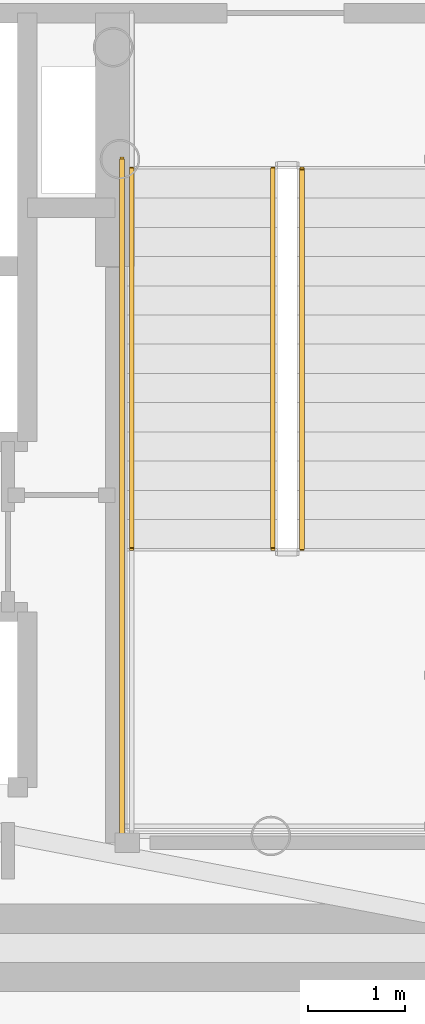
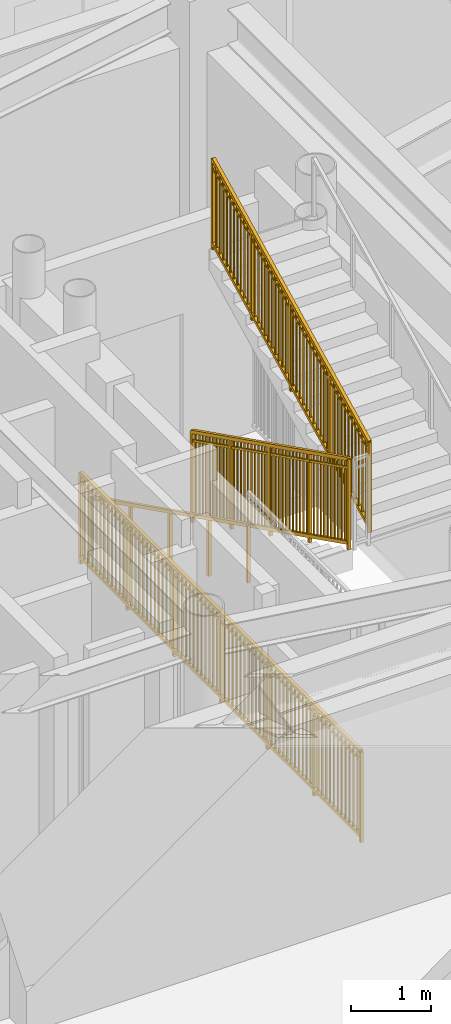
# One storey, part 19 of 21: 4 railings.
"""IFC4 building model written with IfcOpenShell, lengths in metres."""

from ifc_helpers import new_model, si_unit, direction, frame, origin, origin_2d, place, context, subcontext, project, spatial, rectangle, extrude, source, transform, mapped, material, type_object, element, save


model = new_model("IFC4")

# Units and contexts
model_context = context("Model", 3, precision=1e-05, world=origin(), true_north=direction((0.0, 1.0)))
body_context = subcontext(model_context, "Body", "Model", "MODEL_VIEW")
ifc_project = project(units=[si_unit("LENGTHUNIT", "METRE"), si_unit("AREAUNIT", "SQUARE_METRE"), si_unit("VOLUMEUNIT", "CUBIC_METRE"), si_unit("PLANEANGLEUNIT", "RADIAN"), si_unit("MASSUNIT", "GRAM", prefix="KILO")], contexts=[model_context])

# Site, building, storey
site_placement = place(None, origin())
site = spatial("IfcSite", under=ifc_project, at=site_placement, CompositionType="ELEMENT")
building_placement = place(site_placement, origin())
building = spatial("IfcBuilding", under=site, at=building_placement, Name="Linh Dai School and Residence Tower", CompositionType="ELEMENT")
storey_placement = place(building_placement, frame((0.0, 0.0, 82.800048828125)))
storey = spatial("IfcBuildingStorey", under=building, at=storey_placement, Name="L19", CompositionType="ELEMENT", Elevation=82.800048828125)

# Railings
ifc_material_1 = material(Name="Structural Steel S355JR", Category="steel")
railing_type_1 = type_object("IfcRailingType", Name="RL-ST-GUARD-1400", PredefinedType="GUARDRAIL", material=ifc_material_1)
shared_shape_1 = source(origin(), body_context, "Body", "SweptSolid", [
    extrude(rectangle(XDim=0.048095703125, YDim=0.048095703125, at=origin_2d()), frame((0.0, 0.0, 1.3759765625), z_axis=(0.0, -1.0, 0.0), x_axis=(1.0, 0.0, 0.0)), (0.0, 0.0, 1.0), 7.0),
    extrude(rectangle(XDim=0.048095703125, YDim=0.048095703125, at=origin_2d()), frame((0.0, 0.0, 0.10009765625), z_axis=(0.0, -1.0, 0.0), x_axis=(1.0, 0.0, 0.0)), (0.0, 0.0, 1.0), 7.0),
    extrude(rectangle(XDim=0.030029296875, YDim=0.030029296875, at=origin_2d()), frame((0.0, 0.0, 1.239990234375), z_axis=(0.0, -1.0, 0.0), x_axis=(1.0, 0.0, 0.0)), (0.0, 0.0, 1.0), 7.0),
    extrude(rectangle(XDim=0.02001953125, YDim=0.02001953125, at=origin_2d()), frame((0.0, -0.09716796875, 0.10009765625)), (0.0, 0.0, 1.0), 1.251708984375),
    extrude(rectangle(XDim=0.02001953125, YDim=0.02001953125, at=origin_2d()), frame((0.0, -0.1943359375, 0.10009765625)), (0.0, 0.0, 1.0), 1.251708984375),
    extrude(rectangle(XDim=0.02001953125, YDim=0.02001953125, at=origin_2d()), frame((0.0, -0.291748046875, 0.10009765625)), (0.0, 0.0, 1.0), 1.251708984375),
    extrude(rectangle(XDim=0.02001953125, YDim=0.02001953125, at=origin_2d()), frame((0.0, -0.388916015625, 0.10009765625)), (0.0, 0.0, 1.0), 1.251708984375),
    extrude(rectangle(XDim=0.02001953125, YDim=0.02001953125, at=origin_2d()), frame((0.0, -0.486083984375, 0.10009765625)), (0.0, 0.0, 1.0), 1.251708984375),
    extrude(rectangle(XDim=0.02001953125, YDim=0.02001953125, at=origin_2d()), frame((0.0, -0.583251953125, 0.10009765625)), (0.0, 0.0, 1.0), 1.251708984375),
    extrude(rectangle(XDim=0.02001953125, YDim=0.02001953125, at=origin_2d()), frame((0.0, -0.6806640625, 0.10009765625)), (0.0, 0.0, 1.0), 1.251708984375),
    extrude(rectangle(XDim=0.02001953125, YDim=0.02001953125, at=origin_2d()), frame((0.0, -0.77783203125, 0.10009765625)), (0.0, 0.0, 1.0), 1.251708984375),
    extrude(rectangle(XDim=0.02001953125, YDim=0.02001953125, at=origin_2d()), frame((0.0, -0.875, 0.10009765625)), (0.0, 0.0, 1.0), 1.251708984375),
    extrude(rectangle(XDim=0.02001953125, YDim=0.02001953125, at=origin_2d()), frame((0.0, -0.97216796875, 0.10009765625)), (0.0, 0.0, 1.0), 1.251708984375),
    extrude(rectangle(XDim=0.02001953125, YDim=0.02001953125, at=origin_2d()), frame((0.0, -1.0693359375, 0.10009765625)), (0.0, 0.0, 1.0), 1.251708984375),
    extrude(rectangle(XDim=0.02001953125, YDim=0.02001953125, at=origin_2d()), frame((0.0, -1.263916015625, 0.10009765625)), (0.0, 0.0, 1.0), 1.251708984375),
    extrude(rectangle(XDim=0.02001953125, YDim=0.02001953125, at=origin_2d()), frame((0.0, -1.361083984375, 0.10009765625)), (0.0, 0.0, 1.0), 1.251708984375),
    extrude(rectangle(XDim=0.02001953125, YDim=0.02001953125, at=origin_2d()), frame((0.0, -1.458251953125, 0.10009765625)), (0.0, 0.0, 1.0), 1.251708984375),
    extrude(rectangle(XDim=0.02001953125, YDim=0.02001953125, at=origin_2d()), frame((0.0, -1.5556640625, 0.10009765625)), (0.0, 0.0, 1.0), 1.251708984375),
    extrude(rectangle(XDim=0.02001953125, YDim=0.02001953125, at=origin_2d()), frame((0.0, -1.65283203125, 0.10009765625)), (0.0, 0.0, 1.0), 1.251708984375),
    extrude(rectangle(XDim=0.02001953125, YDim=0.02001953125, at=origin_2d()), frame((0.0, -1.75, 0.10009765625)), (0.0, 0.0, 1.0), 1.251708984375),
    extrude(rectangle(XDim=0.02001953125, YDim=0.02001953125, at=origin_2d()), frame((0.0, -1.84716796875, 0.10009765625)), (0.0, 0.0, 1.0), 1.251708984375),
    extrude(rectangle(XDim=0.02001953125, YDim=0.02001953125, at=origin_2d()), frame((0.0, -1.9443359375, 0.10009765625)), (0.0, 0.0, 1.0), 1.251708984375),
    extrude(rectangle(XDim=0.02001953125, YDim=0.02001953125, at=origin_2d()), frame((0.0, -2.041748046875, 0.10009765625)), (0.0, 0.0, 1.0), 1.251708984375),
    extrude(rectangle(XDim=0.02001953125, YDim=0.02001953125, at=origin_2d()), frame((0.0, -2.138916015625, 0.10009765625)), (0.0, 0.0, 1.0), 1.251708984375),
    extrude(rectangle(XDim=0.02001953125, YDim=0.02001953125, at=origin_2d()), frame((0.0, -2.236083984375, 0.10009765625)), (0.0, 0.0, 1.0), 1.251708984375),
    extrude(rectangle(XDim=0.02001953125, YDim=0.02001953125, at=origin_2d()), frame((0.0, -2.4306640625, 0.10009765625)), (0.0, 0.0, 1.0), 1.251708984375),
    extrude(rectangle(XDim=0.02001953125, YDim=0.02001953125, at=origin_2d()), frame((0.0, -2.52783203125, 0.10009765625)), (0.0, 0.0, 1.0), 1.251708984375),
    extrude(rectangle(XDim=0.02001953125, YDim=0.02001953125, at=origin_2d()), frame((0.0, -2.625, 0.10009765625)), (0.0, 0.0, 1.0), 1.251708984375),
    extrude(rectangle(XDim=0.02001953125, YDim=0.02001953125, at=origin_2d()), frame((0.0, -2.72216796875, 0.10009765625)), (0.0, 0.0, 1.0), 1.251708984375),
    extrude(rectangle(XDim=0.02001953125, YDim=0.02001953125, at=origin_2d()), frame((0.0, -2.8193359375, 0.10009765625)), (0.0, 0.0, 1.0), 1.251708984375),
    extrude(rectangle(XDim=0.02001953125, YDim=0.02001953125, at=origin_2d()), frame((0.0, -2.916748046875, 0.10009765625)), (0.0, 0.0, 1.0), 1.251708984375),
    extrude(rectangle(XDim=0.02001953125, YDim=0.02001953125, at=origin_2d()), frame((0.0, -3.013916015625, 0.10009765625)), (0.0, 0.0, 1.0), 1.251708984375),
    extrude(rectangle(XDim=0.02001953125, YDim=0.02001953125, at=origin_2d()), frame((0.0, -3.111083984375, 0.10009765625)), (0.0, 0.0, 1.0), 1.251708984375),
    extrude(rectangle(XDim=0.02001953125, YDim=0.02001953125, at=origin_2d()), frame((0.0, -3.208251953125, 0.10009765625)), (0.0, 0.0, 1.0), 1.251708984375),
    extrude(rectangle(XDim=0.02001953125, YDim=0.02001953125, at=origin_2d()), frame((0.0, -3.3056640625, 0.10009765625)), (0.0, 0.0, 1.0), 1.251708984375),
    extrude(rectangle(XDim=0.02001953125, YDim=0.02001953125, at=origin_2d()), frame((0.0, -3.40283203125, 0.10009765625)), (0.0, 0.0, 1.0), 1.251708984375),
    extrude(rectangle(XDim=0.02001953125, YDim=0.02001953125, at=origin_2d()), frame((0.0, -3.59716796875, 0.10009765625)), (0.0, 0.0, 1.0), 1.251708984375),
    extrude(rectangle(XDim=0.02001953125, YDim=0.02001953125, at=origin_2d()), frame((0.0, -3.6943359375, 0.10009765625)), (0.0, 0.0, 1.0), 1.251708984375),
    extrude(rectangle(XDim=0.02001953125, YDim=0.02001953125, at=origin_2d()), frame((0.0, -3.791748046875, 0.10009765625)), (0.0, 0.0, 1.0), 1.251708984375),
    extrude(rectangle(XDim=0.02001953125, YDim=0.02001953125, at=origin_2d()), frame((0.0, -3.888916015625, 0.10009765625)), (0.0, 0.0, 1.0), 1.251708984375),
    extrude(rectangle(XDim=0.02001953125, YDim=0.02001953125, at=origin_2d()), frame((0.0, -3.986083984375, 0.10009765625)), (0.0, 0.0, 1.0), 1.251708984375),
    extrude(rectangle(XDim=0.02001953125, YDim=0.02001953125, at=origin_2d()), frame((0.0, -4.083251953125, 0.10009765625)), (0.0, 0.0, 1.0), 1.251708984375),
    extrude(rectangle(XDim=0.02001953125, YDim=0.02001953125, at=origin_2d()), frame((0.0, -4.1806640625, 0.10009765625)), (0.0, 0.0, 1.0), 1.251708984375),
    extrude(rectangle(XDim=0.02001953125, YDim=0.02001953125, at=origin_2d()), frame((0.0, -4.27783203125, 0.10009765625)), (0.0, 0.0, 1.0), 1.251708984375),
    extrude(rectangle(XDim=0.02001953125, YDim=0.02001953125, at=origin_2d()), frame((0.0, -4.375, 0.10009765625)), (0.0, 0.0, 1.0), 1.251708984375),
    extrude(rectangle(XDim=0.02001953125, YDim=0.02001953125, at=origin_2d()), frame((0.0, -4.47216796875, 0.10009765625)), (0.0, 0.0, 1.0), 1.251708984375),
    extrude(rectangle(XDim=0.02001953125, YDim=0.02001953125, at=origin_2d()), frame((0.0, -4.5693359375, 0.10009765625)), (0.0, 0.0, 1.0), 1.251708984375),
    extrude(rectangle(XDim=0.02001953125, YDim=0.02001953125, at=origin_2d()), frame((0.0, -4.763916015625, 0.10009765625)), (0.0, 0.0, 1.0), 1.251708984375),
    extrude(rectangle(XDim=0.02001953125, YDim=0.02001953125, at=origin_2d()), frame((0.0, -4.861083984375, 0.10009765625)), (0.0, 0.0, 1.0), 1.251708984375),
    extrude(rectangle(XDim=0.02001953125, YDim=0.02001953125, at=origin_2d()), frame((0.0, -4.958251953125, 0.10009765625)), (0.0, 0.0, 1.0), 1.251708984375),
    extrude(rectangle(XDim=0.02001953125, YDim=0.02001953125, at=origin_2d()), frame((0.0, -5.0556640625, 0.10009765625)), (0.0, 0.0, 1.0), 1.251708984375),
    extrude(rectangle(XDim=0.02001953125, YDim=0.02001953125, at=origin_2d()), frame((0.0, -5.15283203125, 0.10009765625)), (0.0, 0.0, 1.0), 1.251708984375),
    extrude(rectangle(XDim=0.02001953125, YDim=0.02001953125, at=origin_2d()), frame((0.0, -5.25, 0.10009765625)), (0.0, 0.0, 1.0), 1.251708984375),
    extrude(rectangle(XDim=0.02001953125, YDim=0.02001953125, at=origin_2d()), frame((0.0, -5.34716796875, 0.10009765625)), (0.0, 0.0, 1.0), 1.251708984375),
    extrude(rectangle(XDim=0.02001953125, YDim=0.02001953125, at=origin_2d()), frame((0.0, -5.4443359375, 0.10009765625)), (0.0, 0.0, 1.0), 1.251708984375),
    extrude(rectangle(XDim=0.02001953125, YDim=0.02001953125, at=origin_2d()), frame((0.0, -5.541748046875, 0.10009765625)), (0.0, 0.0, 1.0), 1.251708984375),
    extrude(rectangle(XDim=0.02001953125, YDim=0.02001953125, at=origin_2d()), frame((0.0, -5.638916015625, 0.10009765625)), (0.0, 0.0, 1.0), 1.251708984375),
    extrude(rectangle(XDim=0.02001953125, YDim=0.02001953125, at=origin_2d()), frame((0.0, -5.736083984375, 0.10009765625)), (0.0, 0.0, 1.0), 1.251708984375),
    extrude(rectangle(XDim=0.02001953125, YDim=0.02001953125, at=origin_2d()), frame((0.0, -5.9306640625, 0.10009765625)), (0.0, 0.0, 1.0), 1.251708984375),
    extrude(rectangle(XDim=0.02001953125, YDim=0.02001953125, at=origin_2d()), frame((0.0, -6.02783203125, 0.10009765625)), (0.0, 0.0, 1.0), 1.251708984375),
    extrude(rectangle(XDim=0.02001953125, YDim=0.02001953125, at=origin_2d()), frame((0.0, -6.125, 0.10009765625)), (0.0, 0.0, 1.0), 1.251708984375),
    extrude(rectangle(XDim=0.02001953125, YDim=0.02001953125, at=origin_2d()), frame((0.0, -6.22216796875, 0.10009765625)), (0.0, 0.0, 1.0), 1.251708984375),
    extrude(rectangle(XDim=0.02001953125, YDim=0.02001953125, at=origin_2d()), frame((0.0, -6.3193359375, 0.10009765625)), (0.0, 0.0, 1.0), 1.251708984375),
    extrude(rectangle(XDim=0.02001953125, YDim=0.02001953125, at=origin_2d()), frame((0.0, -6.416748046875, 0.10009765625)), (0.0, 0.0, 1.0), 1.251708984375),
    extrude(rectangle(XDim=0.02001953125, YDim=0.02001953125, at=origin_2d()), frame((0.0, -6.513916015625, 0.10009765625)), (0.0, 0.0, 1.0), 1.251708984375),
    extrude(rectangle(XDim=0.02001953125, YDim=0.02001953125, at=origin_2d()), frame((0.0, -6.611083984375, 0.10009765625)), (0.0, 0.0, 1.0), 1.251708984375),
    extrude(rectangle(XDim=0.02001953125, YDim=0.02001953125, at=origin_2d()), frame((0.0, -6.708251953125, 0.10009765625)), (0.0, 0.0, 1.0), 1.251708984375),
    extrude(rectangle(XDim=0.02001953125, YDim=0.02001953125, at=origin_2d()), frame((0.0, -6.8056640625, 0.10009765625)), (0.0, 0.0, 1.0), 1.251708984375),
    extrude(rectangle(XDim=0.02001953125, YDim=0.02001953125, at=origin_2d()), frame((0.0, -6.90283203125, 0.10009765625)), (0.0, 0.0, 1.0), 1.251708984375),
    extrude(rectangle(XDim=0.0419921875, YDim=0.0419921875, at=origin_2d()), origin(), (0.0, 0.0, 1.0), 1.3759765625),
    extrude(rectangle(XDim=0.0419921875, YDim=0.0419921875, at=origin_2d()), frame((0.0, -1.166748046875, 0.0)), (0.0, 0.0, 1.0), 1.3759765625),
    extrude(rectangle(XDim=0.0419921875, YDim=0.0419921875, at=origin_2d()), frame((0.0, -2.333251953125, 0.0)), (0.0, 0.0, 1.0), 1.3759765625),
    extrude(rectangle(XDim=0.0419921875, YDim=0.0419921875, at=origin_2d()), frame((0.0, -3.5, 0.0)), (0.0, 0.0, 1.0), 1.3759765625),
    extrude(rectangle(XDim=0.0419921875, YDim=0.0419921875, at=origin_2d()), frame((0.0, -4.666748046875, 0.0)), (0.0, 0.0, 1.0), 1.3759765625),
    extrude(rectangle(XDim=0.0419921875, YDim=0.0419921875, at=origin_2d()), frame((0.0, -5.833251953125, 0.0)), (0.0, 0.0, 1.0), 1.3759765625),
    extrude(rectangle(XDim=0.0419921875, YDim=0.0419921875, at=origin_2d()), frame((0.0, -7.0, 0.0)), (0.0, 0.0, 1.0), 1.3759765625),
])
railing_1_placement = place(storey_placement, frame((40.969970703125, 28.35009765625, 0.0)))
element("IfcRailing", 1, at=railing_1_placement, inside=storey, type_object=railing_type_1, Name="L19 ST2 stair guard 10", PredefinedType="GUARDRAIL", context=body_context, shape_type="MappedRepresentation", body=[
    mapped(shared_shape_1, transform((0.0, 0.0, 0.0), x_axis=(1.0, 0.0, 0.0), y_axis=(0.0, 1.0, 0.0), z_axis=(0.0, 0.0, 1.0), scale=1.0)),
])
shared_shape_2 = source(origin(), body_context, "Body", "SweptSolid", [
    extrude(rectangle(XDim=0.048095703125, YDim=0.048095703125, at=origin_2d()), frame((0.0, 0.0, 1.3759765625), z_axis=(0.0, 0.894427191, 0.4472135955), x_axis=(-1.0, 0.0, 0.0)), (0.0, 0.0, 1.0), 4.360107421875),
    extrude(rectangle(XDim=0.048095703125, YDim=0.048095703125, at=origin_2d()), frame((0.0, 0.0, 0.10009765625), z_axis=(0.0, 0.894427191, 0.4472135955), x_axis=(-1.0, 0.0, 0.0)), (0.0, 0.0, 1.0), 4.360107421875),
    extrude(rectangle(XDim=0.030029296875, YDim=0.030029296875, at=origin_2d()), frame((0.0, 0.0, 1.239990234375), z_axis=(0.0, 0.894427191, 0.4472135955), x_axis=(-1.0, 0.0, 0.0)), (0.0, 0.0, 1.0), 4.360107421875),
    extrude(rectangle(XDim=0.02001953125, YDim=0.02001953125, at=origin_2d()), frame((0.0, 0.086669921875, 0.143310546875)), (0.0, 0.0, 1.0), 1.251708984375),
    extrude(rectangle(XDim=0.02001953125, YDim=0.02001953125, at=origin_2d()), frame((0.0, 0.17333984375, 0.186767578125)), (0.0, 0.0, 1.0), 1.251708984375),
    extrude(rectangle(XDim=0.02001953125, YDim=0.02001953125, at=origin_2d()), frame((0.0, 0.260009765625, 0.22998046875)), (0.0, 0.0, 1.0), 1.251708984375),
    extrude(rectangle(XDim=0.02001953125, YDim=0.02001953125, at=origin_2d()), frame((0.0, 0.3466796875, 0.2734375)), (0.0, 0.0, 1.0), 1.251708984375),
    extrude(rectangle(XDim=0.02001953125, YDim=0.02001953125, at=origin_2d()), frame((0.0, 0.433349609375, 0.316650390625)), (0.0, 0.0, 1.0), 1.251708984375),
    extrude(rectangle(XDim=0.02001953125, YDim=0.02001953125, at=origin_2d()), frame((0.0, 0.52001953125, 0.360107421875)), (0.0, 0.0, 1.0), 1.251708984375),
    extrude(rectangle(XDim=0.02001953125, YDim=0.02001953125, at=origin_2d()), frame((0.0, 0.606689453125, 0.4033203125)), (0.0, 0.0, 1.0), 1.251708984375),
    extrude(rectangle(XDim=0.02001953125, YDim=0.02001953125, at=origin_2d()), frame((0.0, 0.693359375, 0.44677734375)), (0.0, 0.0, 1.0), 1.251708984375),
    extrude(rectangle(XDim=0.02001953125, YDim=0.02001953125, at=origin_2d()), frame((0.0, 0.780029296875, 0.489990234375)), (0.0, 0.0, 1.0), 1.251708984375),
    extrude(rectangle(XDim=0.02001953125, YDim=0.02001953125, at=origin_2d()), frame((0.0, 0.86669921875, 0.533447265625)), (0.0, 0.0, 1.0), 1.251708984375),
    extrude(rectangle(XDim=0.02001953125, YDim=0.02001953125, at=origin_2d()), frame((0.0, 1.0400390625, 0.6201171875)), (0.0, 0.0, 1.0), 1.251708984375),
    extrude(rectangle(XDim=0.02001953125, YDim=0.02001953125, at=origin_2d()), frame((0.0, 1.126708984375, 0.663330078125)), (0.0, 0.0, 1.0), 1.251708984375),
    extrude(rectangle(XDim=0.02001953125, YDim=0.02001953125, at=origin_2d()), frame((0.0, 1.21337890625, 0.706787109375)), (0.0, 0.0, 1.0), 1.251708984375),
    extrude(rectangle(XDim=0.02001953125, YDim=0.02001953125, at=origin_2d()), frame((0.0, 1.300048828125, 0.75)), (0.0, 0.0, 1.0), 1.251708984375),
    extrude(rectangle(XDim=0.02001953125, YDim=0.02001953125, at=origin_2d()), frame((0.0, 1.38671875, 0.79345703125)), (0.0, 0.0, 1.0), 1.251708984375),
    extrude(rectangle(XDim=0.02001953125, YDim=0.02001953125, at=origin_2d()), frame((0.0, 1.473388671875, 0.836669921875)), (0.0, 0.0, 1.0), 1.251708984375),
    extrude(rectangle(XDim=0.02001953125, YDim=0.02001953125, at=origin_2d()), frame((0.0, 1.56005859375, 0.880126953125)), (0.0, 0.0, 1.0), 1.251708984375),
    extrude(rectangle(XDim=0.02001953125, YDim=0.02001953125, at=origin_2d()), frame((0.0, 1.646728515625, 0.92333984375)), (0.0, 0.0, 1.0), 1.251708984375),
    extrude(rectangle(XDim=0.02001953125, YDim=0.02001953125, at=origin_2d()), frame((0.0, 1.7333984375, 0.966796875)), (0.0, 0.0, 1.0), 1.251708984375),
    extrude(rectangle(XDim=0.02001953125, YDim=0.02001953125, at=origin_2d()), frame((0.0, 1.820068359375, 1.010009765625)), (0.0, 0.0, 1.0), 1.251708984375),
    extrude(rectangle(XDim=0.02001953125, YDim=0.02001953125, at=origin_2d()), frame((0.0, 1.90673828125, 1.053466796875)), (0.0, 0.0, 1.0), 1.251708984375),
    extrude(rectangle(XDim=0.02001953125, YDim=0.02001953125, at=origin_2d()), frame((0.0, 1.9931640625, 1.0966796875)), (0.0, 0.0, 1.0), 1.251708984375),
    extrude(rectangle(XDim=0.02001953125, YDim=0.02001953125, at=origin_2d()), frame((0.0, 2.079833984375, 1.14013671875)), (0.0, 0.0, 1.0), 1.251708984375),
    extrude(rectangle(XDim=0.02001953125, YDim=0.02001953125, at=origin_2d()), frame((0.0, 2.16650390625, 1.183349609375)), (0.0, 0.0, 1.0), 1.251708984375),
    extrude(rectangle(XDim=0.02001953125, YDim=0.02001953125, at=origin_2d()), frame((0.0, 2.253173828125, 1.226806640625)), (0.0, 0.0, 1.0), 1.251708984375),
    extrude(rectangle(XDim=0.02001953125, YDim=0.02001953125, at=origin_2d()), frame((0.0, 2.33984375, 1.27001953125)), (0.0, 0.0, 1.0), 1.251708984375),
    extrude(rectangle(XDim=0.02001953125, YDim=0.02001953125, at=origin_2d()), frame((0.0, 2.426513671875, 1.3134765625)), (0.0, 0.0, 1.0), 1.251708984375),
    extrude(rectangle(XDim=0.02001953125, YDim=0.02001953125, at=origin_2d()), frame((0.0, 2.51318359375, 1.356689453125)), (0.0, 0.0, 1.0), 1.251708984375),
    extrude(rectangle(XDim=0.02001953125, YDim=0.02001953125, at=origin_2d()), frame((0.0, 2.599853515625, 1.400146484375)), (0.0, 0.0, 1.0), 1.251708984375),
    extrude(rectangle(XDim=0.02001953125, YDim=0.02001953125, at=origin_2d()), frame((0.0, 2.6865234375, 1.443359375)), (0.0, 0.0, 1.0), 1.251708984375),
    extrude(rectangle(XDim=0.02001953125, YDim=0.02001953125, at=origin_2d()), frame((0.0, 2.773193359375, 1.48681640625)), (0.0, 0.0, 1.0), 1.251708984375),
    extrude(rectangle(XDim=0.02001953125, YDim=0.02001953125, at=origin_2d()), frame((0.0, 2.85986328125, 1.530029296875)), (0.0, 0.0, 1.0), 1.251708984375),
    extrude(rectangle(XDim=0.02001953125, YDim=0.02001953125, at=origin_2d()), frame((0.0, 3.033203125, 1.61669921875)), (0.0, 0.0, 1.0), 1.251708984375),
    extrude(rectangle(XDim=0.02001953125, YDim=0.02001953125, at=origin_2d()), frame((0.0, 3.119873046875, 1.66015625)), (0.0, 0.0, 1.0), 1.251708984375),
    extrude(rectangle(XDim=0.02001953125, YDim=0.02001953125, at=origin_2d()), frame((0.0, 3.20654296875, 1.703369140625)), (0.0, 0.0, 1.0), 1.251708984375),
    extrude(rectangle(XDim=0.02001953125, YDim=0.02001953125, at=origin_2d()), frame((0.0, 3.293212890625, 1.746826171875)), (0.0, 0.0, 1.0), 1.251708984375),
    extrude(rectangle(XDim=0.02001953125, YDim=0.02001953125, at=origin_2d()), frame((0.0, 3.3798828125, 1.7900390625)), (0.0, 0.0, 1.0), 1.251708984375),
    extrude(rectangle(XDim=0.02001953125, YDim=0.02001953125, at=origin_2d()), frame((0.0, 3.466552734375, 1.83349609375)), (0.0, 0.0, 1.0), 1.251708984375),
    extrude(rectangle(XDim=0.02001953125, YDim=0.02001953125, at=origin_2d()), frame((0.0, 3.55322265625, 1.876708984375)), (0.0, 0.0, 1.0), 1.251708984375),
    extrude(rectangle(XDim=0.02001953125, YDim=0.02001953125, at=origin_2d()), frame((0.0, 3.639892578125, 1.920166015625)), (0.0, 0.0, 1.0), 1.251708984375),
    extrude(rectangle(XDim=0.02001953125, YDim=0.02001953125, at=origin_2d()), frame((0.0, 3.7265625, 1.96337890625)), (0.0, 0.0, 1.0), 1.251708984375),
    extrude(rectangle(XDim=0.02001953125, YDim=0.02001953125, at=origin_2d()), frame((0.0, 3.813232421875, 2.0068359375)), (0.0, 0.0, 1.0), 1.251708984375),
    extrude(rectangle(XDim=0.0419921875, YDim=0.0419921875, at=origin_2d()), origin(), (0.0, 0.0, 1.0), 1.3759765625),
    extrude(rectangle(XDim=0.0419921875, YDim=0.0419921875, at=origin_2d()), frame((0.0, 0.97509765625, 0.487548828125)), (0.0, 0.0, 1.0), 1.3759765625),
    extrude(rectangle(XDim=0.0419921875, YDim=0.0419921875, at=origin_2d()), frame((0.0, 1.949951171875, 0.97509765625)), (0.0, 0.0, 1.0), 1.3759765625),
    extrude(rectangle(XDim=0.0419921875, YDim=0.0419921875, at=origin_2d()), frame((0.0, 2.9248046875, 1.46240234375)), (0.0, 0.0, 1.0), 1.3759765625),
    extrude(rectangle(XDim=0.0419921875, YDim=0.0419921875, at=origin_2d()), frame((0.0, 3.89990234375, 1.949951171875)), (0.0, 0.0, 1.0), 1.3759765625),
])
railing_2_placement = place(storey_placement, frame((42.820068359375, 24.35009765625, 2.25)))
element("IfcRailing", 2, at=railing_2_placement, inside=storey, type_object=railing_type_1, Name="L19 ST2 stair guard 6", PredefinedType="GUARDRAIL", context=body_context, shape_type="MappedRepresentation", body=[
    mapped(shared_shape_2, transform((0.0, 0.0, 0.0), x_axis=(1.0, 0.0, 0.0), y_axis=(0.0, 1.0, 0.0), z_axis=(0.0, 0.0, 1.0), scale=1.0)),
])
shared_shape_3 = source(origin(), body_context, "Body", "SweptSolid", [
    extrude(rectangle(XDim=0.048095703125, YDim=0.048095703125, at=origin_2d()), frame((0.0, 0.0, 1.3759765625), z_axis=(0.0, -0.894427191, 0.4472135955), x_axis=(1.0, 0.0, 0.0)), (0.0, 0.0, 1.0), 4.360107421875),
    extrude(rectangle(XDim=0.048095703125, YDim=0.048095703125, at=origin_2d()), frame((0.0, 0.0, 0.10009765625), z_axis=(0.0, -0.894427191, 0.4472135955), x_axis=(1.0, 0.0, 0.0)), (0.0, 0.0, 1.0), 4.360107421875),
    extrude(rectangle(XDim=0.030029296875, YDim=0.030029296875, at=origin_2d()), frame((0.0, 0.0, 1.239990234375), z_axis=(0.0, -0.894427191, 0.4472135955), x_axis=(1.0, 0.0, 0.0)), (0.0, 0.0, 1.0), 4.360107421875),
    extrude(rectangle(XDim=0.02001953125, YDim=0.02001953125, at=origin_2d()), frame((0.0, -0.086669921875, 0.143310546875)), (0.0, 0.0, 1.0), 1.251708984375),
    extrude(rectangle(XDim=0.02001953125, YDim=0.02001953125, at=origin_2d()), frame((0.0, -0.17333984375, 0.186767578125)), (0.0, 0.0, 1.0), 1.251708984375),
    extrude(rectangle(XDim=0.02001953125, YDim=0.02001953125, at=origin_2d()), frame((0.0, -0.260009765625, 0.22998046875)), (0.0, 0.0, 1.0), 1.251708984375),
    extrude(rectangle(XDim=0.02001953125, YDim=0.02001953125, at=origin_2d()), frame((0.0, -0.3466796875, 0.2734375)), (0.0, 0.0, 1.0), 1.251708984375),
    extrude(rectangle(XDim=0.02001953125, YDim=0.02001953125, at=origin_2d()), frame((0.0, -0.433349609375, 0.316650390625)), (0.0, 0.0, 1.0), 1.251708984375),
    extrude(rectangle(XDim=0.02001953125, YDim=0.02001953125, at=origin_2d()), frame((0.0, -0.52001953125, 0.360107421875)), (0.0, 0.0, 1.0), 1.251708984375),
    extrude(rectangle(XDim=0.02001953125, YDim=0.02001953125, at=origin_2d()), frame((0.0, -0.606689453125, 0.4033203125)), (0.0, 0.0, 1.0), 1.251708984375),
    extrude(rectangle(XDim=0.02001953125, YDim=0.02001953125, at=origin_2d()), frame((0.0, -0.693359375, 0.44677734375)), (0.0, 0.0, 1.0), 1.251708984375),
    extrude(rectangle(XDim=0.02001953125, YDim=0.02001953125, at=origin_2d()), frame((0.0, -0.780029296875, 0.489990234375)), (0.0, 0.0, 1.0), 1.251708984375),
    extrude(rectangle(XDim=0.02001953125, YDim=0.02001953125, at=origin_2d()), frame((0.0, -0.86669921875, 0.533447265625)), (0.0, 0.0, 1.0), 1.251708984375),
    extrude(rectangle(XDim=0.02001953125, YDim=0.02001953125, at=origin_2d()), frame((0.0, -1.0400390625, 0.6201171875)), (0.0, 0.0, 1.0), 1.251708984375),
    extrude(rectangle(XDim=0.02001953125, YDim=0.02001953125, at=origin_2d()), frame((0.0, -1.126708984375, 0.663330078125)), (0.0, 0.0, 1.0), 1.251708984375),
    extrude(rectangle(XDim=0.02001953125, YDim=0.02001953125, at=origin_2d()), frame((0.0, -1.21337890625, 0.706787109375)), (0.0, 0.0, 1.0), 1.251708984375),
    extrude(rectangle(XDim=0.02001953125, YDim=0.02001953125, at=origin_2d()), frame((0.0, -1.300048828125, 0.75)), (0.0, 0.0, 1.0), 1.251708984375),
    extrude(rectangle(XDim=0.02001953125, YDim=0.02001953125, at=origin_2d()), frame((0.0, -1.38671875, 0.79345703125)), (0.0, 0.0, 1.0), 1.251708984375),
    extrude(rectangle(XDim=0.02001953125, YDim=0.02001953125, at=origin_2d()), frame((0.0, -1.473388671875, 0.836669921875)), (0.0, 0.0, 1.0), 1.251708984375),
    extrude(rectangle(XDim=0.02001953125, YDim=0.02001953125, at=origin_2d()), frame((0.0, -1.56005859375, 0.880126953125)), (0.0, 0.0, 1.0), 1.251708984375),
    extrude(rectangle(XDim=0.02001953125, YDim=0.02001953125, at=origin_2d()), frame((0.0, -1.646728515625, 0.92333984375)), (0.0, 0.0, 1.0), 1.251708984375),
    extrude(rectangle(XDim=0.02001953125, YDim=0.02001953125, at=origin_2d()), frame((0.0, -1.7333984375, 0.966796875)), (0.0, 0.0, 1.0), 1.251708984375),
    extrude(rectangle(XDim=0.02001953125, YDim=0.02001953125, at=origin_2d()), frame((0.0, -1.820068359375, 1.010009765625)), (0.0, 0.0, 1.0), 1.251708984375),
    extrude(rectangle(XDim=0.02001953125, YDim=0.02001953125, at=origin_2d()), frame((0.0, -1.90673828125, 1.053466796875)), (0.0, 0.0, 1.0), 1.251708984375),
    extrude(rectangle(XDim=0.02001953125, YDim=0.02001953125, at=origin_2d()), frame((0.0, -1.9931640625, 1.0966796875)), (0.0, 0.0, 1.0), 1.251708984375),
    extrude(rectangle(XDim=0.02001953125, YDim=0.02001953125, at=origin_2d()), frame((0.0, -2.079833984375, 1.14013671875)), (0.0, 0.0, 1.0), 1.251708984375),
    extrude(rectangle(XDim=0.02001953125, YDim=0.02001953125, at=origin_2d()), frame((0.0, -2.16650390625, 1.183349609375)), (0.0, 0.0, 1.0), 1.251708984375),
    extrude(rectangle(XDim=0.02001953125, YDim=0.02001953125, at=origin_2d()), frame((0.0, -2.253173828125, 1.226806640625)), (0.0, 0.0, 1.0), 1.251708984375),
    extrude(rectangle(XDim=0.02001953125, YDim=0.02001953125, at=origin_2d()), frame((0.0, -2.33984375, 1.27001953125)), (0.0, 0.0, 1.0), 1.251708984375),
    extrude(rectangle(XDim=0.02001953125, YDim=0.02001953125, at=origin_2d()), frame((0.0, -2.426513671875, 1.3134765625)), (0.0, 0.0, 1.0), 1.251708984375),
    extrude(rectangle(XDim=0.02001953125, YDim=0.02001953125, at=origin_2d()), frame((0.0, -2.51318359375, 1.356689453125)), (0.0, 0.0, 1.0), 1.251708984375),
    extrude(rectangle(XDim=0.02001953125, YDim=0.02001953125, at=origin_2d()), frame((0.0, -2.599853515625, 1.400146484375)), (0.0, 0.0, 1.0), 1.251708984375),
    extrude(rectangle(XDim=0.02001953125, YDim=0.02001953125, at=origin_2d()), frame((0.0, -2.6865234375, 1.443359375)), (0.0, 0.0, 1.0), 1.251708984375),
    extrude(rectangle(XDim=0.02001953125, YDim=0.02001953125, at=origin_2d()), frame((0.0, -2.773193359375, 1.48681640625)), (0.0, 0.0, 1.0), 1.251708984375),
    extrude(rectangle(XDim=0.02001953125, YDim=0.02001953125, at=origin_2d()), frame((0.0, -2.85986328125, 1.530029296875)), (0.0, 0.0, 1.0), 1.251708984375),
    extrude(rectangle(XDim=0.02001953125, YDim=0.02001953125, at=origin_2d()), frame((0.0, -3.033203125, 1.61669921875)), (0.0, 0.0, 1.0), 1.251708984375),
    extrude(rectangle(XDim=0.02001953125, YDim=0.02001953125, at=origin_2d()), frame((0.0, -3.119873046875, 1.66015625)), (0.0, 0.0, 1.0), 1.251708984375),
    extrude(rectangle(XDim=0.02001953125, YDim=0.02001953125, at=origin_2d()), frame((0.0, -3.20654296875, 1.703369140625)), (0.0, 0.0, 1.0), 1.251708984375),
    extrude(rectangle(XDim=0.02001953125, YDim=0.02001953125, at=origin_2d()), frame((0.0, -3.293212890625, 1.746826171875)), (0.0, 0.0, 1.0), 1.251708984375),
    extrude(rectangle(XDim=0.02001953125, YDim=0.02001953125, at=origin_2d()), frame((0.0, -3.3798828125, 1.7900390625)), (0.0, 0.0, 1.0), 1.251708984375),
    extrude(rectangle(XDim=0.02001953125, YDim=0.02001953125, at=origin_2d()), frame((0.0, -3.466552734375, 1.83349609375)), (0.0, 0.0, 1.0), 1.251708984375),
    extrude(rectangle(XDim=0.02001953125, YDim=0.02001953125, at=origin_2d()), frame((0.0, -3.55322265625, 1.876708984375)), (0.0, 0.0, 1.0), 1.251708984375),
    extrude(rectangle(XDim=0.02001953125, YDim=0.02001953125, at=origin_2d()), frame((0.0, -3.639892578125, 1.920166015625)), (0.0, 0.0, 1.0), 1.251708984375),
    extrude(rectangle(XDim=0.02001953125, YDim=0.02001953125, at=origin_2d()), frame((0.0, -3.7265625, 1.96337890625)), (0.0, 0.0, 1.0), 1.251708984375),
    extrude(rectangle(XDim=0.02001953125, YDim=0.02001953125, at=origin_2d()), frame((0.0, -3.813232421875, 2.0068359375)), (0.0, 0.0, 1.0), 1.251708984375),
    extrude(rectangle(XDim=0.0419921875, YDim=0.0419921875, at=origin_2d()), origin(), (0.0, 0.0, 1.0), 1.3759765625),
    extrude(rectangle(XDim=0.0419921875, YDim=0.0419921875, at=origin_2d()), frame((0.0, -0.97509765625, 0.487548828125)), (0.0, 0.0, 1.0), 1.3759765625),
    extrude(rectangle(XDim=0.0419921875, YDim=0.0419921875, at=origin_2d()), frame((0.0, -1.949951171875, 0.97509765625)), (0.0, 0.0, 1.0), 1.3759765625),
    extrude(rectangle(XDim=0.0419921875, YDim=0.0419921875, at=origin_2d()), frame((0.0, -2.9248046875, 1.46240234375)), (0.0, 0.0, 1.0), 1.3759765625),
    extrude(rectangle(XDim=0.0419921875, YDim=0.0419921875, at=origin_2d()), frame((0.0, -3.89990234375, 1.949951171875)), (0.0, 0.0, 1.0), 1.3759765625),
])
railing_3_placement = place(storey_placement, frame((42.52001953125, 28.25, 0.14990234375)))
element("IfcRailing", 3, at=railing_3_placement, inside=storey, type_object=railing_type_1, Name="L19 ST2 stair guard 1", PredefinedType="GUARDRAIL", context=body_context, shape_type="MappedRepresentation", body=[
    mapped(shared_shape_3, transform((0.0, 0.0, 0.0), x_axis=(1.0, 0.0, 0.0), y_axis=(0.0, 1.0, 0.0), z_axis=(0.0, 0.0, 1.0), scale=1.0)),
])
ifc_material_2 = material(Name="Brushed Stainless Steel Handrail", Category="steel")
railing_type_2 = type_object("IfcRailingType", Name="RL-ST-HANDRAIL-900", PredefinedType="HANDRAIL", material=ifc_material_2)
shared_shape_4 = source(origin(), body_context, "Body", "SweptSolid", [
    extrude(rectangle(XDim=0.048095703125, YDim=0.048095703125, at=origin_2d()), frame((0.0, 0.0, 0.8759765625), z_axis=(0.0, -0.894427191, 0.4472135955), x_axis=(1.0, 0.0, 0.0)), (0.0, 0.0, 1.0), 4.360107421875),
    extrude(rectangle(XDim=0.0419921875, YDim=0.0419921875, at=origin_2d()), origin(), (0.0, 0.0, 1.0), 0.8759765625),
    extrude(rectangle(XDim=0.0419921875, YDim=0.0419921875, at=origin_2d()), frame((0.0, -0.97509765625, 0.487548828125)), (0.0, 0.0, 1.0), 0.8759765625),
    extrude(rectangle(XDim=0.0419921875, YDim=0.0419921875, at=origin_2d()), frame((0.0, -1.949951171875, 0.97509765625)), (0.0, 0.0, 1.0), 0.8759765625),
    extrude(rectangle(XDim=0.0419921875, YDim=0.0419921875, at=origin_2d()), frame((0.0, -2.9248046875, 1.46240234375)), (0.0, 0.0, 1.0), 0.8759765625),
    extrude(rectangle(XDim=0.0419921875, YDim=0.0419921875, at=origin_2d()), frame((0.0, -3.89990234375, 1.949951171875)), (0.0, 0.0, 1.0), 0.8759765625),
])
railing_4_placement = place(storey_placement, frame((41.070068359375, 28.25, 0.14990234375)))
element("IfcRailing", 4, at=railing_4_placement, inside=storey, type_object=railing_type_2, Name="L19 ST2 stair handrail 1", PredefinedType="HANDRAIL", context=body_context, shape_type="MappedRepresentation", body=[
    mapped(shared_shape_4, transform((0.0, 0.0, 0.0), x_axis=(1.0, 0.0, 0.0), y_axis=(0.0, 1.0, 0.0), z_axis=(0.0, 0.0, 1.0), scale=1.0)),
])

save(model, "model.ifc")
